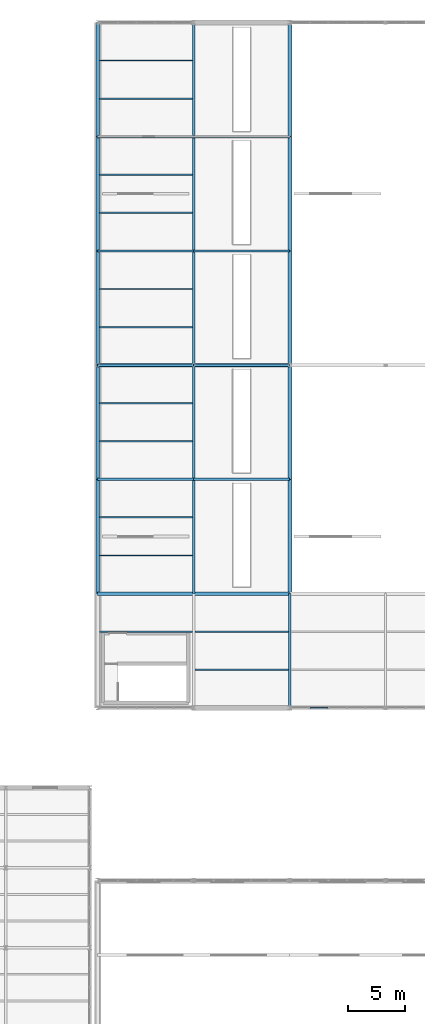
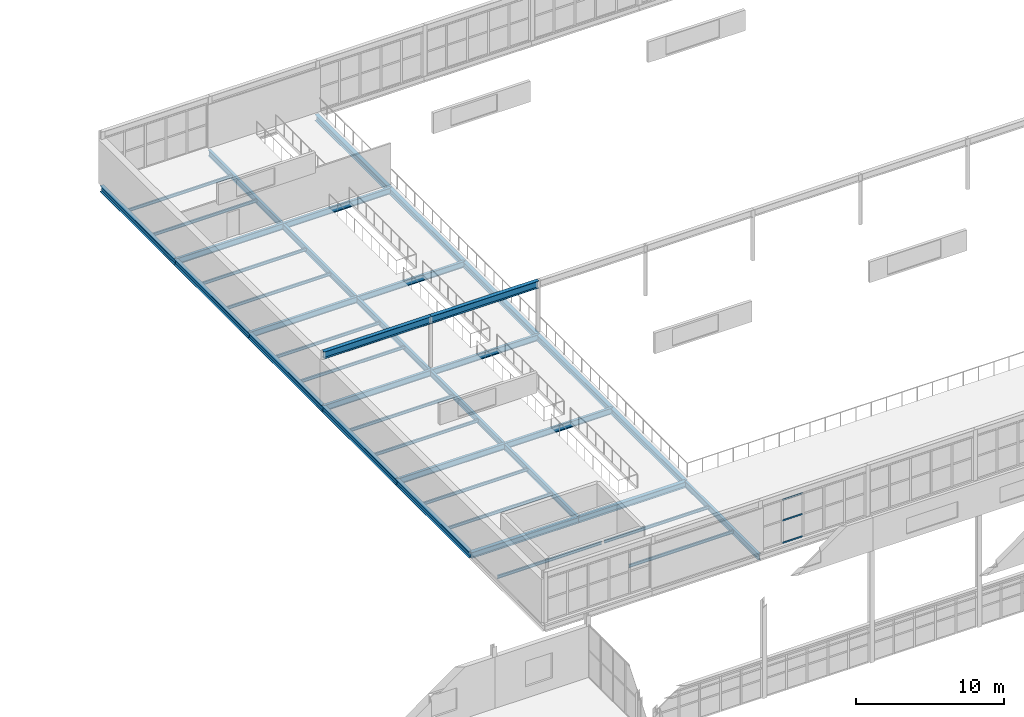
# One storey, part 90 of 218: 41 beams, 3 members, 1 element without a shape of its own.
"""IFC4 building model written with IfcOpenShell, lengths in metres."""

from ifc_helpers import new_model, si_unit, direction, frame, origin, origin_2d, place, context, subcontext, project, spatial, hollow_rectangle, i_section, extrude, material, material_profile, profile_set, type_object, element, aggregate, save


model = new_model("IFC4")

# Units and contexts
model_context = context("Model", 3, precision=1e-05, world=origin(), true_north=direction((0.0, 1.0)))
body_context = subcontext(model_context, "Body", "Model", "MODEL_VIEW")
ifc_project = project(units=[si_unit("LENGTHUNIT", "METRE"), si_unit("AREAUNIT", "SQUARE_METRE"), si_unit("VOLUMEUNIT", "CUBIC_METRE"), si_unit("PLANEANGLEUNIT", "RADIAN"), si_unit("MASSUNIT", "GRAM", prefix="KILO")], contexts=[model_context])

# Site, building, storey
site_placement = place(None, origin())
site = spatial("IfcSite", under=ifc_project, at=site_placement, CompositionType="ELEMENT")
building_placement = place(site_placement, origin())
building = spatial("IfcBuilding", under=site, at=building_placement, Name="Kazenagashi Tramway Depot", CompositionType="ELEMENT")
storey_placement = place(building_placement, frame((0.0, 0.0, 6.0)))
storey = spatial("IfcBuildingStorey", under=building, at=storey_placement, Name="L02", CompositionType="ELEMENT", Elevation=6.0)

# Beams
ifc_material_1 = material(Name="Steel SN490B", Category="steel")
ifc_material_profile_1 = material_profile(ifc_material_1, i_section(OverallWidth=0.2, OverallDepth=0.5, WebThickness=0.01, FlangeThickness=0.016, at=origin_2d()), Name="H-500x200x10x16")
ifc_profile_set_1 = profile_set([ifc_material_profile_1], Name="Steel SN490B")
beam_type_1 = type_object("IfcBeamType", Name="G-05", PredefinedType="BEAM", material=ifc_profile_set_1)
beam_1_placement = place(storey_placement, frame((61.6, 70.0, -0.515), z_axis=(0.0, 1.0, 0.0), x_axis=(-1.0, 0.0, 0.0)))
element("IfcBeam", 1, at=beam_1_placement, inside=storey, type_object=beam_type_1, Name="Beam G-05 BM-1742", PredefinedType="BEAM", context=body_context, shape_type="SweptSolid", body=[
    extrude(i_section(OverallWidth=0.2, OverallDepth=0.5, WebThickness=0.01, FlangeThickness=0.016, at=origin_2d()), origin(), (0.0, 0.0, 1.0), 10.0),
])
for number, where, z_axis, x_axis, name in (
    (2, (44.8, 90.0, -0.515), (1.0, 0.0, 0.0), (0.0, 1.0, 0.0), "Beam G-05 BM-1791"),
    (3, (53.2, 90.0, -0.515), (1.0, 0.0, 0.0), (0.0, 1.0, 0.0), "Beam G-05 BM-1792"),
    (4, (44.8, 100.0, -0.515), (1.0, 0.0, 0.0), (0.0, 1.0, 0.0), "Beam G-05 BM-1793"),
    (5, (53.2, 100.0, -0.515), (1.0, 0.0, 0.0), (0.0, 1.0, 0.0), "Beam G-05 BM-1794"),
    (6, (44.8, 110.0, -0.515), (1.0, 0.0, 0.0), (0.0, 1.0, 0.0), "Beam G-05 BM-1795"),
    (7, (53.2, 110.0, -0.515), (1.0, 0.0, 0.0), (0.0, 1.0, 0.0), "Beam G-05 BM-1796"),
    (8, (44.8, 120.0, -0.515), (1.0, 0.0, 0.0), (0.0, 1.0, 0.0), "Beam G-05 BM-1797"),
    (9, (53.2, 120.0, -0.515), (1.0, 0.0, 0.0), (0.0, 1.0, 0.0), "Beam G-05 BM-1798"),
):
    element("IfcBeam", number, at=place(storey_placement, frame(where, z_axis=z_axis, x_axis=x_axis)), inside=storey, type_object=beam_type_1, Name=name, PredefinedType="BEAM", context=body_context, shape_type="SweptSolid", body=[
        extrude(i_section(OverallWidth=0.2, OverallDepth=0.5, WebThickness=0.01, FlangeThickness=0.016, at=origin_2d()), origin(), (0.0, 0.0, 1.0), 8.4),
    ])
for number, where, z_axis, x_axis, name in (
    (10, (53.2, 80.0, -0.515), (0.0, 1.0, 0.0), (-1.0, 0.0, 0.0), "Beam G-05 BM-1816"),
    (11, (53.2, 90.0, -0.515), (0.0, 1.0, 0.0), (-1.0, 0.0, 0.0), "Beam G-05 BM-1817"),
    (12, (53.2, 100.0, -0.515), (0.0, 1.0, 0.0), (-1.0, 0.0, 0.0), "Beam G-05 BM-1818"),
    (13, (53.2, 110.0, -0.515), (0.0, 1.0, 0.0), (-1.0, 0.0, 0.0), "Beam G-05 BM-1819"),
    (14, (53.2, 120.0, -0.515), (0.0, 1.0, 0.0), (-1.0, 0.0, 0.0), "Beam G-05 BM-1820"),
):
    element("IfcBeam", number, at=place(storey_placement, frame(where, z_axis=z_axis, x_axis=x_axis)), inside=storey, type_object=beam_type_1, Name=name, PredefinedType="BEAM", context=body_context, shape_type="SweptSolid", body=[
        extrude(i_section(OverallWidth=0.2, OverallDepth=0.5, WebThickness=0.01, FlangeThickness=0.016, at=origin_2d()), origin(), (0.0, 0.0, 1.0), 10.0),
    ])
ifc_material_2 = material(Name="Steel SN400B", Category="steel")
ifc_material_profile_2 = material_profile(ifc_material_2, i_section(OverallWidth=0.125, OverallDepth=0.25, WebThickness=0.006, FlangeThickness=0.009, at=origin_2d()), Name="H-250x125x6x9")
ifc_profile_set_2 = profile_set([ifc_material_profile_2], Name="Steel SN400B")
beam_type_2 = type_object("IfcBeamType", Name="J-03", PredefinedType="JOIST", material=ifc_profile_set_2)
beam_2_placement = place(storey_placement, frame((44.95, 76.667, -0.39), z_axis=(1.0, 0.0, 0.0), x_axis=(0.0, 1.0, 0.0)))
element("IfcBeam", 15, at=beam_2_placement, inside=storey, type_object=beam_type_2, Name="Beam J-03 BM-1738", PredefinedType="JOIST", context=body_context, shape_type="SweptSolid", body=[
    extrude(i_section(OverallWidth=0.125, OverallDepth=0.25, WebThickness=0.006, FlangeThickness=0.009, at=origin_2d()), origin(), (0.0, 0.0, 1.0), 8.15),
])
for number, where, z_axis, x_axis, name in (
    (16, (53.3, 73.333, -0.39), (1.0, 0.0, 0.0), (0.0, 1.0, 0.0), "Beam J-03 BM-1740"),
    (17, (53.3, 76.667, -0.39), (1.0, 0.0, 0.0), (0.0, 1.0, 0.0), "Beam J-03 BM-1741"),
):
    element("IfcBeam", number, at=place(storey_placement, frame(where, z_axis=z_axis, x_axis=x_axis)), inside=storey, type_object=beam_type_2, Name=name, PredefinedType="JOIST", context=body_context, shape_type="SweptSolid", body=[
        extrude(i_section(OverallWidth=0.125, OverallDepth=0.25, WebThickness=0.006, FlangeThickness=0.009, at=origin_2d()), origin(), (0.0, 0.0, 1.0), 8.2),
    ])
for number, where, z_axis, x_axis, name in (
    (18, (44.95, 83.333, -0.39), (1.0, 0.0, 0.0), (0.0, 1.0, 0.0), "Beam J-03 BM-1802"),
    (19, (44.95, 86.667, -0.39), (1.0, 0.0, 0.0), (0.0, 1.0, 0.0), "Beam J-03 BM-1803"),
    (20, (44.95, 93.333, -0.39), (1.0, 0.0, 0.0), (0.0, 1.0, 0.0), "Beam J-03 BM-1805"),
    (21, (44.95, 96.667, -0.39), (1.0, 0.0, 0.0), (0.0, 1.0, 0.0), "Beam J-03 BM-1806"),
    (22, (44.95, 103.333, -0.39), (1.0, 0.0, 0.0), (0.0, 1.0, 0.0), "Beam J-03 BM-1808"),
    (23, (44.95, 106.667, -0.39), (1.0, 0.0, 0.0), (0.0, 1.0, 0.0), "Beam J-03 BM-1809"),
    (24, (44.95, 113.333, -0.39), (1.0, 0.0, 0.0), (0.0, 1.0, 0.0), "Beam J-03 BM-1811"),
    (25, (44.95, 116.667, -0.39), (1.0, 0.0, 0.0), (0.0, 1.0, 0.0), "Beam J-03 BM-1812"),
    (26, (44.95, 123.333, -0.39), (1.0, 0.0, 0.0), (0.0, 1.0, 0.0), "Beam J-03 BM-1814"),
    (27, (44.95, 126.667, -0.39), (1.0, 0.0, 0.0), (0.0, 1.0, 0.0), "Beam J-03 BM-1815"),
):
    element("IfcBeam", number, at=place(storey_placement, frame(where, z_axis=z_axis, x_axis=x_axis)), inside=storey, type_object=beam_type_2, Name=name, PredefinedType="JOIST", context=body_context, shape_type="SweptSolid", body=[
        extrude(i_section(OverallWidth=0.125, OverallDepth=0.25, WebThickness=0.006, FlangeThickness=0.009, at=origin_2d()), origin(), (0.0, 0.0, 1.0), 8.15),
    ])
ifc_material_profile_3 = material_profile(ifc_material_1, i_section(OverallWidth=0.3, OverallDepth=0.588, WebThickness=0.012, FlangeThickness=0.02, at=origin_2d()), Name="H-588x300x12x20")
ifc_profile_set_3 = profile_set([ifc_material_profile_3], Name="Steel SN490B")
beam_type_3 = type_object("IfcBeamType", Name="SP-01", PredefinedType="SPANDREL", material=ifc_profile_set_3)
for number, where, z_axis, x_axis, name in (
    (28, (44.8, 100.0, 3.906), (1.0, 0.0, 0.0), (0.0, 1.0, 0.0), "Beam SP-01 BM-1862"),
    (29, (53.2, 100.0, 3.906), (1.0, 0.0, 0.0), (0.0, 1.0, 0.0), "Beam SP-01 BM-1863"),
):
    element("IfcBeam", number, at=place(storey_placement, frame(where, z_axis=z_axis, x_axis=x_axis)), inside=storey, type_object=beam_type_3, Name=name, PredefinedType="SPANDREL", context=body_context, shape_type="SweptSolid", body=[
        extrude(i_section(OverallWidth=0.3, OverallDepth=0.588, WebThickness=0.012, FlangeThickness=0.02, at=origin_2d()), origin(), (0.0, 0.0, 1.0), 8.4),
    ])
ifc_material_profile_4 = material_profile(ifc_material_1, i_section(OverallWidth=0.3, OverallDepth=0.488, WebThickness=0.011, FlangeThickness=0.018, at=origin_2d()), Name="H-488x300x11x18")
ifc_profile_set_4 = profile_set([ifc_material_profile_4], Name="Steel SN490B")
beam_type_4 = type_object("IfcBeamType", Name="SP-02", PredefinedType="SPANDREL", material=ifc_profile_set_4)
for number, where, z_axis, x_axis, name in (
    (30, (44.8, 80.0, -0.509), (1.0, 0.0, 0.0), (0.0, 1.0, 0.0), "Beam SP-02 BM-1719"),
    (31, (53.2, 80.0, -0.509), (1.0, 0.0, 0.0), (0.0, 1.0, 0.0), "Beam SP-02 BM-1720"),
):
    element("IfcBeam", number, at=place(storey_placement, frame(where, z_axis=z_axis, x_axis=x_axis)), inside=storey, type_object=beam_type_4, Name=name, PredefinedType="SPANDREL", context=body_context, shape_type="SweptSolid", body=[
        extrude(i_section(OverallWidth=0.3, OverallDepth=0.488, WebThickness=0.011, FlangeThickness=0.018, at=origin_2d()), origin(), (0.0, 0.0, 1.0), 8.4),
    ])
for number, where, z_axis, x_axis, name in (
    (32, (44.8, 80.0, -0.509), (0.0, 1.0, 0.0), (-1.0, 0.0, 0.0), "Beam SP-02 BM-1801"),
    (33, (44.8, 90.0, -0.509), (0.0, 1.0, 0.0), (-1.0, 0.0, 0.0), "Beam SP-02 BM-1804"),
    (34, (44.8, 100.0, -0.509), (0.0, 1.0, 0.0), (-1.0, 0.0, 0.0), "Beam SP-02 BM-1807"),
    (35, (44.8, 110.0, -0.509), (0.0, 1.0, 0.0), (-1.0, 0.0, 0.0), "Beam SP-02 BM-1810"),
    (36, (44.8, 120.0, -0.509), (0.0, 1.0, 0.0), (-1.0, 0.0, 0.0), "Beam SP-02 BM-1813"),
    (37, (61.6, 80.0, -0.509), (0.0, 1.0, 0.0), (-1.0, 0.0, 0.0), "Beam SP-02 BM-1821"),
    (38, (61.6, 90.0, -0.509), (0.0, 1.0, 0.0), (-1.0, 0.0, 0.0), "Beam SP-02 BM-1822"),
    (39, (61.6, 100.0, -0.509), (0.0, 1.0, 0.0), (-1.0, 0.0, 0.0), "Beam SP-02 BM-1823"),
    (40, (61.6, 110.0, -0.509), (0.0, 1.0, 0.0), (-1.0, 0.0, 0.0), "Beam SP-02 BM-1824"),
    (41, (61.6, 120.0, -0.509), (0.0, 1.0, 0.0), (-1.0, 0.0, 0.0), "Beam SP-02 BM-1825"),
):
    element("IfcBeam", number, at=place(storey_placement, frame(where, z_axis=z_axis, x_axis=x_axis)), inside=storey, type_object=beam_type_4, Name=name, PredefinedType="SPANDREL", context=body_context, shape_type="SweptSolid", body=[
        extrude(i_section(OverallWidth=0.3, OverallDepth=0.488, WebThickness=0.011, FlangeThickness=0.018, at=origin_2d()), origin(), (0.0, 0.0, 1.0), 10.0),
    ])

# Curtain wall, members
ifc_material_3 = material(Name="Anodised Aluminium and Low-E Glazing", Category="aluminium")
curtain_wall_type = type_object("IfcCurtainWallType", Name="CW-11", PredefinedType="USERDEFINED", material=ifc_material_3)
curtain_wall_placement = place(storey_placement, origin())
curtain_wall = element("IfcCurtainWall", 42, at=curtain_wall_placement, inside=storey, type_object=curtain_wall_type, Name="Industrial Glazed Screen CW-11 CW-0020", ObjectType="GLAZED SCREEN", PredefinedType="USERDEFINED")
ifc_material_4 = material(Name="Anodised Aluminium", Category="aluminium")
ifc_material_profile_5 = material_profile(ifc_material_4, hollow_rectangle(XDim=0.06, YDim=0.12, WallThickness=0.004, at=origin_2d()), Name="RHS-120x60x4")
ifc_profile_set_5 = profile_set([ifc_material_profile_5], Name="Anodised Aluminium")
member_type = type_object("IfcMemberType", Name="TR-01", PredefinedType="USERDEFINED", material=ifc_profile_set_5)
member_1_placement = place(storey_placement, frame((63.394, 70.0, 0.03), z_axis=(1.0, 0.0, 0.0), x_axis=(0.0, 1.0, 0.0)))
member_1 = element("IfcMember", 43, at=member_1_placement, type_object=member_type, Name="CW-11 transom 2.1", ObjectType="TRANSOM", PredefinedType="USERDEFINED", context=body_context, shape_type="SweptSolid", body=[
    extrude(hollow_rectangle(XDim=0.06, YDim=0.12, WallThickness=0.004, at=origin_2d()), origin(), (0.0, 0.0, 1.0), 1.564),
])
member_2_placement = place(storey_placement, frame((63.394, 70.0, 1.878), z_axis=(1.0, 0.0, 0.0), x_axis=(0.0, 1.0, 0.0)))
member_2 = element("IfcMember", 44, at=member_2_placement, type_object=member_type, Name="CW-11 transom 2.2", ObjectType="TRANSOM", PredefinedType="USERDEFINED", context=body_context, shape_type="SweptSolid", body=[
    extrude(hollow_rectangle(XDim=0.06, YDim=0.12, WallThickness=0.004, at=origin_2d()), origin(), (0.0, 0.0, 1.0), 1.564),
])
member_3_placement = place(storey_placement, frame((63.394, 70.0, 3.582), z_axis=(1.0, 0.0, 0.0), x_axis=(0.0, 1.0, 0.0)))
member_3 = element("IfcMember", 45, at=member_3_placement, type_object=member_type, Name="CW-11 transom 2.3", ObjectType="TRANSOM", PredefinedType="USERDEFINED", context=body_context, shape_type="SweptSolid", body=[
    extrude(hollow_rectangle(XDim=0.06, YDim=0.12, WallThickness=0.004, at=origin_2d()), origin(), (0.0, 0.0, 1.0), 1.564),
])
aggregate(curtain_wall, [member_1, member_2, member_3])

save(model, "model.ifc")
